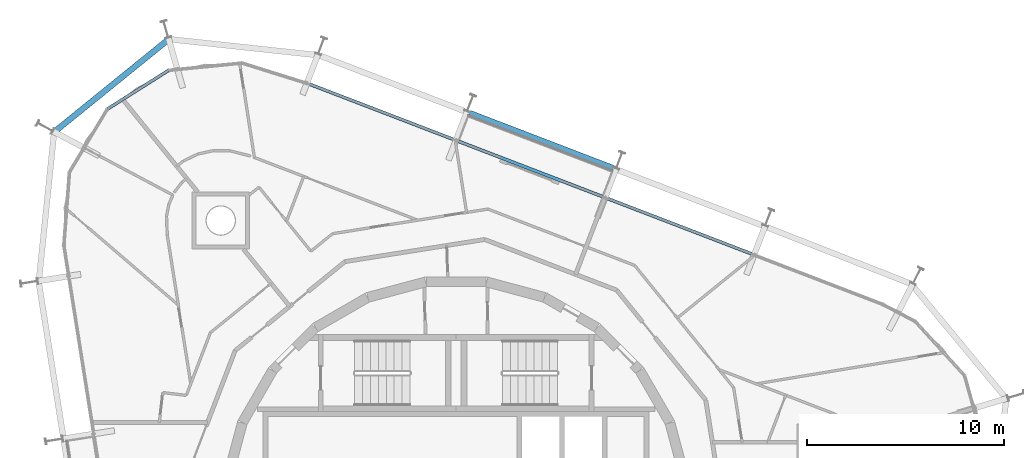
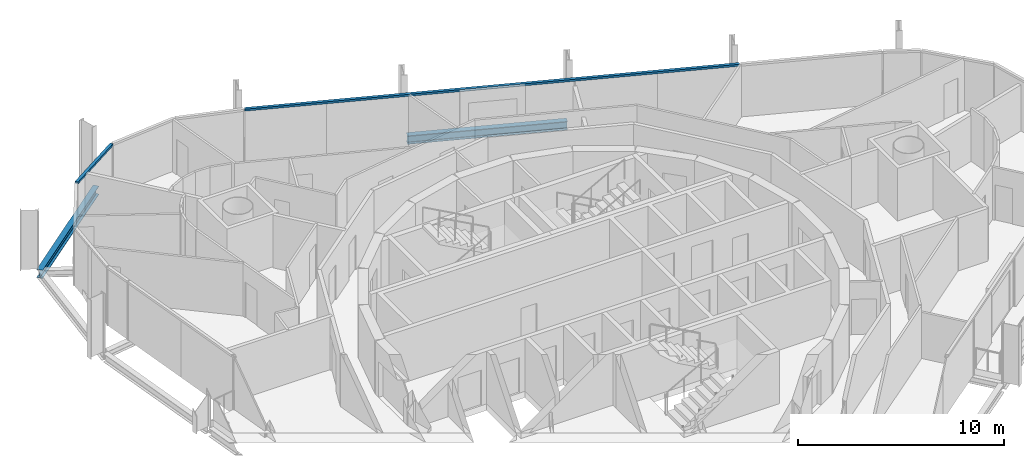
# One storey, part 7 of 17: 2 beams, 2 members, 2 elements without a shape of their own.
"""IFC4 building model written with IfcOpenShell, lengths in metres."""

from ifc_helpers import new_model, si_unit, direction, frame, origin, origin_2d, place, context, subcontext, project, spatial, rectangle, i_section, extrude, material, layer, layer_set, material_profile, profile_set, type_object, element, aggregate, save


model = new_model("IFC4")

# Units and contexts
model_context = context("Model", 3, precision=1e-05, world=origin(), true_north=direction((0.0, 1.0)))
body_context = subcontext(model_context, "Body", "Model", "MODEL_VIEW")
ifc_project = project(units=[si_unit("LENGTHUNIT", "METRE"), si_unit("AREAUNIT", "SQUARE_METRE"), si_unit("VOLUMEUNIT", "CUBIC_METRE"), si_unit("PLANEANGLEUNIT", "RADIAN"), si_unit("MASSUNIT", "GRAM", prefix="KILO")], contexts=[model_context])

# Site, building, storey
site_placement = place(None, origin())
site = spatial("IfcSite", under=ifc_project, at=site_placement, CompositionType="ELEMENT")
building_placement = place(site_placement, origin())
building = spatial("IfcBuilding", under=site, at=building_placement, Name="Spindle Arch Residences", CompositionType="ELEMENT")
storey_placement = place(building_placement, frame((0.0, 0.0, 270.39990234375)))
storey = spatial("IfcBuildingStorey", under=building, at=storey_placement, Name="L69", CompositionType="ELEMENT", Elevation=270.39990234375)

# Curtain wall, member
ifc_material_1 = material(Name="Aluminium bronze unitised frame with tinted glass", Category="aluminium")
ifc_layer_1 = layer(ifc_material_1, 0.159912109375)
ifc_layer_set_1 = layer_set([ifc_layer_1], Name="CW-C typical residential unitised wall")
curtain_wall_type_1 = type_object("IfcCurtainWallType", Name="CW-C typical residential unitised wall", PredefinedType="NOTDEFINED", material=ifc_layer_set_1)
curtain_wall_1_placement = place(storey_placement, origin())
curtain_wall_1 = element("IfcCurtainWall", 1, at=curtain_wall_1_placement, inside=storey, type_object=curtain_wall_type_1, Name="CW-C L69 run 2", PredefinedType="NOTDEFINED")
ifc_material_2 = material(Name="Aluminium bronze anodised transom", Category="aluminium")
ifc_material_profile_1 = material_profile(ifc_material_2, rectangle(XDim=0.159912109375, YDim=0.1201171875, at=origin_2d()), Name="TR 120x160")
ifc_profile_set_1 = profile_set([ifc_material_profile_1], Name="Aluminium bronze anodised transom")
member_type = type_object("IfcMemberType", Name="Bronze transom 120x160", PredefinedType="USERDEFINED", material=ifc_profile_set_1)
member_1_placement = place(storey_placement, frame((15.1015625, 13.0302734375, 3.06005859375), z_axis=(-0.933583473728, 0.358360011138, 0.0), x_axis=(-0.358360011138, -0.933583473728, 0.0)))
member_1 = element("IfcMember", 2, at=member_1_placement, type_object=member_type, Name="CW-C transom 00", ObjectType="TRANSOM", PredefinedType="USERDEFINED", context=body_context, shape_type="SweptSolid", body=[
    extrude(rectangle(XDim=0.159912109375, YDim=0.1201171875, at=origin_2d()), origin(), (0.0, 0.0, 1.0), 24.262939453125),
])
aggregate(curtain_wall_1, [member_1])

ifc_material_3 = material(Name="Aluminium bronze unitised frame with tinted glass", Category="aluminium")
ifc_layer_2 = layer(ifc_material_3, 0.159912109375)
ifc_layer_set_2 = layer_set([ifc_layer_2], Name="CW-D corner wall on the fillet arcs")
curtain_wall_type_2 = type_object("IfcCurtainWallType", Name="CW-D corner wall on the fillet arcs", PredefinedType="NOTDEFINED", material=ifc_layer_set_2)
curtain_wall_2_placement = place(storey_placement, origin())
curtain_wall_2 = element("IfcCurtainWall", 3, at=curtain_wall_2_placement, inside=storey, type_object=curtain_wall_type_2, Name="CW-D L69 run 3", PredefinedType="NOTDEFINED")
member_2_placement = place(storey_placement, frame((-14.608642578125, 22.38427734375, 3.06005859375), z_axis=(-0.844958488621, -0.53483189182, 0.0), x_axis=(0.53483189182, -0.844958488621, 0.0)))
member_2 = element("IfcMember", 4, at=member_2_placement, type_object=member_type, Name="CW-D transom 02", ObjectType="TRANSOM", PredefinedType="USERDEFINED", context=body_context, shape_type="SweptSolid", body=[
    extrude(rectangle(XDim=0.159912109375, YDim=0.1201171875, at=origin_2d()), origin(), (0.0, 0.0, 1.0), 3.6669921875),
])
aggregate(curtain_wall_2, [member_2])

# Beams
ifc_material_4 = material(Name="Steel S460ML, intumescent coating R 120", Category="steel")
ifc_material_profile_2 = material_profile(ifc_material_4, i_section(OverallWidth=0.300048828125, OverallDepth=0.5, WebThickness=0.014404296875, FlangeThickness=0.028076171875, FilletRadius=0.027099609375, at=origin_2d()), Name="HEB 500")
ifc_profile_set_2 = profile_set([ifc_material_profile_2], Name="Steel S460ML, intumescent coating R 120")
beam_type = type_object("IfcBeamType", Name="Exoskeleton edge beam HEB 500", PredefinedType="BEAM", material=ifc_profile_set_2)
beam_1_placement = place(storey_placement, frame((7.990966796875, 17.4091796875, -0.6298828125), z_axis=(-0.933573929793, 0.358384873579, 0.0), x_axis=(-0.358384873579, -0.933573929793, 0.0)))
element("IfcBeam", 5, at=beam_1_placement, inside=storey, type_object=beam_type, Name="Exoskeleton edge beam 7", PredefinedType="BEAM", context=body_context, shape_type="SweptSolid", body=[
    extrude(i_section(OverallWidth=0.300048828125, OverallDepth=0.5, WebThickness=0.014404296875, FlangeThickness=0.028076171875, FilletRadius=0.027099609375, at=origin_2d()), origin(), (0.0, 0.0, 1.0), 7.84765625),
])
beam_2_placement = place(storey_placement, frame((-14.536376953125, 24.014404296875, -0.6298828125), z_axis=(-0.777131622496, -0.62933809778, 0.0), x_axis=(0.62933809778, -0.777131622496, 0.0)))
element("IfcBeam", 6, at=beam_2_placement, inside=storey, type_object=beam_type, Name="Exoskeleton edge beam 10", PredefinedType="BEAM", context=body_context, shape_type="SweptSolid", body=[
    extrude(i_section(OverallWidth=0.300048828125, OverallDepth=0.5, WebThickness=0.014404296875, FlangeThickness=0.028076171875, FilletRadius=0.027099609375, at=origin_2d()), origin(), (0.0, 0.0, 1.0), 7.6318359375),
])

save(model, "model.ifc")
